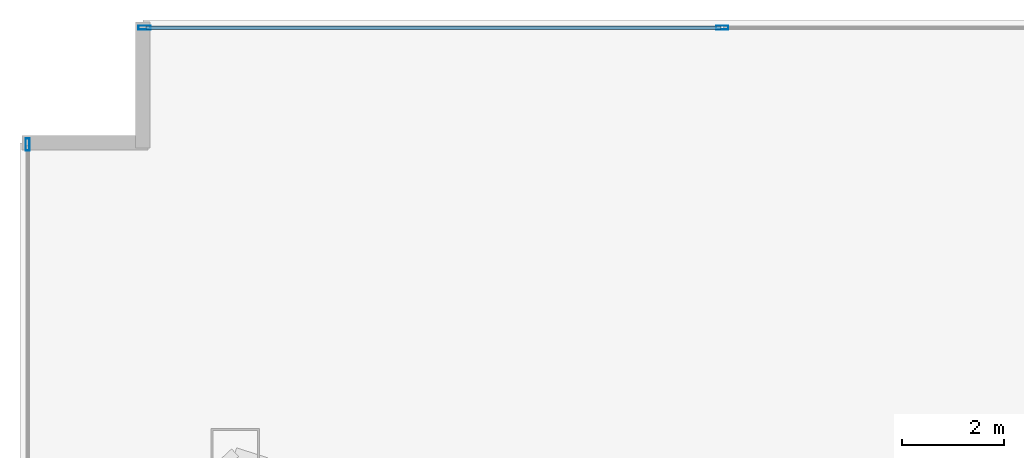
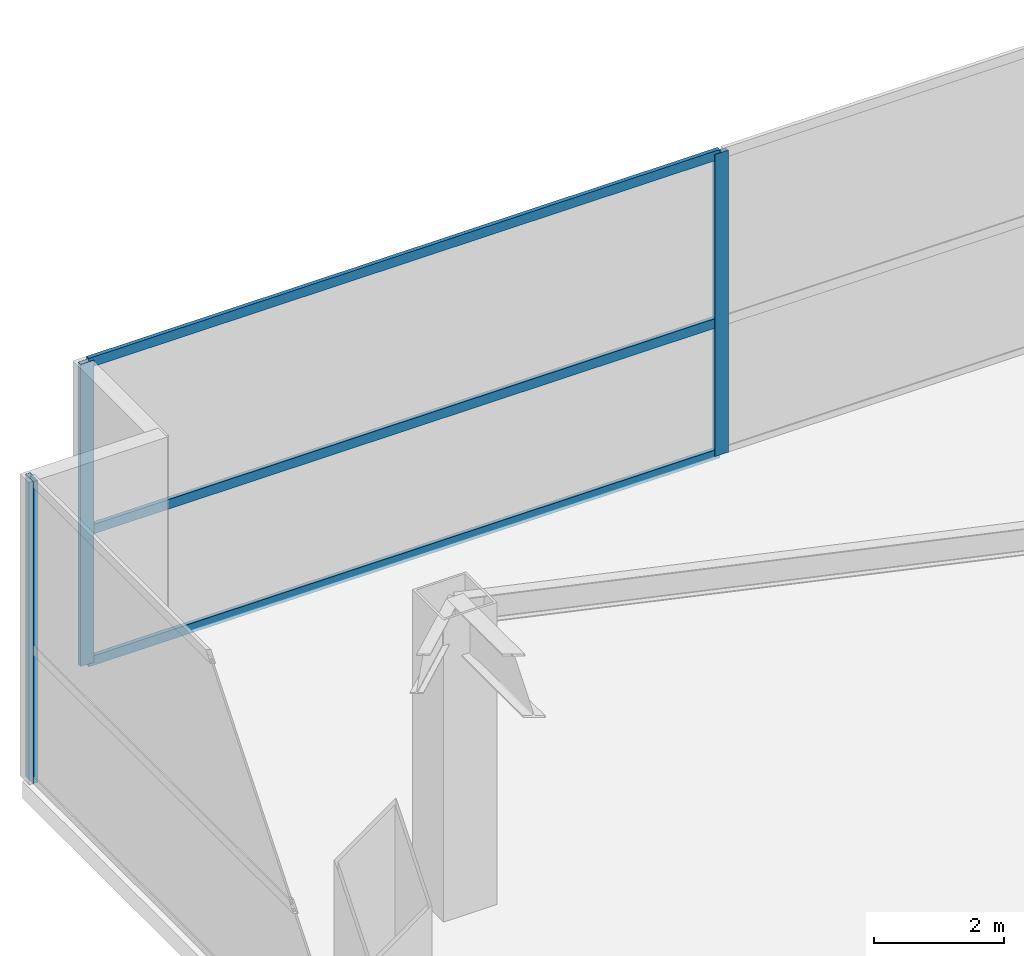
# One storey, part 16 of 35: 6 members, 2 elements without a shape of their own.
"""IFC4 building model written with IfcOpenShell, lengths in metres."""

from ifc_helpers import new_model, si_unit, direction, frame, origin, origin_2d, place, context, subcontext, project, spatial, hollow_rectangle, extrude, material, layer, layer_set, material_profile, profile_set, type_object, element, aggregate, save


model = new_model("IFC4")

# Units and contexts
model_context = context("Model", 3, precision=1e-05, world=origin(), true_north=direction((0.0, 1.0)))
body_context = subcontext(model_context, "Body", "Model", "MODEL_VIEW")
ifc_project = project(units=[si_unit("LENGTHUNIT", "METRE"), si_unit("AREAUNIT", "SQUARE_METRE"), si_unit("VOLUMEUNIT", "CUBIC_METRE"), si_unit("PLANEANGLEUNIT", "RADIAN"), si_unit("MASSUNIT", "GRAM", prefix="KILO")], contexts=[model_context])

# Site, building, storey
site_placement = place(None, origin())
site = spatial("IfcSite", under=ifc_project, at=site_placement, CompositionType="ELEMENT")
building_placement = place(site_placement, origin())
building = spatial("IfcBuilding", under=site, at=building_placement, Name="Calvorn Quay Hotel", CompositionType="ELEMENT")
storey_placement = place(building_placement, frame((0.0, 0.0, 6.0)))
storey = spatial("IfcBuildingStorey", under=building, at=storey_placement, Name="L01", CompositionType="ELEMENT", Elevation=6.0)

# Curtain wall, member
ifc_material_1 = material(Name="Pale Anodised Aluminium and Low-E Glass", Category="aluminium")
ifc_layer = layer(ifc_material_1, 0.219970703125)
ifc_layer_set = layer_set([ifc_layer], Name="CW-SYS-POD")
curtain_wall_type = type_object("IfcCurtainWallType", Name="CW-SYS-POD", PredefinedType="NOTDEFINED", material=ifc_layer_set)
curtain_wall_1_placement = place(storey_placement, origin())
curtain_wall_1 = element("IfcCurtainWall", 1, at=curtain_wall_1_placement, inside=storey, type_object=curtain_wall_type, Name="Podium Curtain Wall L01-W1", PredefinedType="NOTDEFINED")
ifc_material_2 = material(Name="Pale Anodised Aluminium 6063-T6", Category="aluminium")
ifc_material_profile_1 = material_profile(ifc_material_2, hollow_rectangle(XDim=0.080078125, YDim=0.239990234375, WallThickness=0.0048828125, at=origin_2d()), Name="ALU-M240x80x5")
ifc_profile_set_1 = profile_set([ifc_material_profile_1], Name="Pale Anodised Aluminium 6063-T6")
member_type_1 = type_object("IfcMemberType", Name="CW-SYS-POD-MUL", PredefinedType="MULLION", material=ifc_profile_set_1)
member_1_placement = place(storey_placement, frame((0.14990234375, 55.570068359375, 0.0), z_axis=(0.0, 0.0, 1.0), x_axis=(-1.0, 0.0, 0.0)))
member_1 = element("IfcMember", 2, at=member_1_placement, type_object=member_type_1, Name="CW-L01-W1 mullion 6", PredefinedType="MULLION", context=body_context, shape_type="SweptSolid", body=[
    extrude(hollow_rectangle(XDim=0.080078125, YDim=0.239990234375, WallThickness=0.0048828125, at=origin_2d()), origin(), (0.0, 0.0, 1.0), 5.679931640625),
])
aggregate(curtain_wall_1, [member_1])

# Curtain wall, members
curtain_wall_2_placement = place(storey_placement, origin())
curtain_wall_2 = element("IfcCurtainWall", 3, at=curtain_wall_2_placement, inside=storey, type_object=curtain_wall_type, Name="Podium Curtain Wall L01-N1", PredefinedType="NOTDEFINED")
member_2_placement = place(storey_placement, frame((2.429931640625, 57.85009765625, 0.0), z_axis=(0.0, 0.0, 1.0), x_axis=(0.0, 1.0, 0.0)))
member_2 = element("IfcMember", 4, at=member_2_placement, type_object=member_type_1, Name="CW-L01-N1 mullion 1", PredefinedType="MULLION", context=body_context, shape_type="SweptSolid", body=[
    extrude(hollow_rectangle(XDim=0.080078125, YDim=0.239990234375, WallThickness=0.0048828125, at=origin_2d()), origin(), (0.0, 0.0, 1.0), 5.679931640625),
])
member_3_placement = place(storey_placement, frame((13.71435546875, 57.85009765625, 0.0), z_axis=(0.0, 0.0, 1.0), x_axis=(0.0, 1.0, 0.0)))
member_3 = element("IfcMember", 5, at=member_3_placement, type_object=member_type_1, Name="CW-L01-N1 mullion 2", PredefinedType="MULLION", context=body_context, shape_type="SweptSolid", body=[
    extrude(hollow_rectangle(XDim=0.080078125, YDim=0.239990234375, WallThickness=0.0048828125, at=origin_2d()), origin(), (0.0, 0.0, 1.0), 5.679931640625),
])
ifc_material_3 = material(Name="Pale Anodised Aluminium 6063-T6", Category="aluminium")
ifc_material_profile_2 = material_profile(ifc_material_3, hollow_rectangle(XDim=0.070068359375, YDim=0.179931640625, WallThickness=0.00390625, at=origin_2d()), Name="ALU-T180x70x4")
ifc_profile_set_2 = profile_set([ifc_material_profile_2], Name="Pale Anodised Aluminium 6063-T6")
member_type_2 = type_object("IfcMemberType", Name="CW-SYS-POD-TRN", PredefinedType="USERDEFINED", material=ifc_profile_set_2)
member_4_placement = place(storey_placement, frame((2.4599609375, 57.85009765625, 0.030029296875), z_axis=(1.0, 0.0, 0.0), x_axis=(0.0, 1.0, 0.0)))
member_4 = element("IfcMember", 6, at=member_4_placement, type_object=member_type_2, Name="CW-L01-N1 transom 1.1", ObjectType="TRANSOM", PredefinedType="USERDEFINED", context=body_context, shape_type="SweptSolid", body=[
    extrude(hollow_rectangle(XDim=0.070068359375, YDim=0.179931640625, WallThickness=0.00390625, at=origin_2d()), origin(), (0.0, 0.0, 1.0), 11.224365234375),
])
member_5_placement = place(storey_placement, frame((2.4599609375, 57.85009765625, 2.5), z_axis=(1.0, 0.0, 0.0), x_axis=(0.0, 1.0, 0.0)))
member_5 = element("IfcMember", 7, at=member_5_placement, type_object=member_type_2, Name="CW-L01-N1 transom 1.2", ObjectType="TRANSOM", PredefinedType="USERDEFINED", context=body_context, shape_type="SweptSolid", body=[
    extrude(hollow_rectangle(XDim=0.070068359375, YDim=0.179931640625, WallThickness=0.00390625, at=origin_2d()), origin(), (0.0, 0.0, 1.0), 11.224365234375),
])
member_6_placement = place(storey_placement, frame((2.4599609375, 57.85009765625, 5.64990234375), z_axis=(1.0, 0.0, 0.0), x_axis=(0.0, 1.0, 0.0)))
member_6 = element("IfcMember", 8, at=member_6_placement, type_object=member_type_2, Name="CW-L01-N1 transom 1.3", ObjectType="TRANSOM", PredefinedType="USERDEFINED", context=body_context, shape_type="SweptSolid", body=[
    extrude(hollow_rectangle(XDim=0.070068359375, YDim=0.179931640625, WallThickness=0.00390625, at=origin_2d()), origin(), (0.0, 0.0, 1.0), 11.224365234375),
])
aggregate(curtain_wall_2, [member_2, member_3, member_4, member_5, member_6])

save(model, "model.ifc")
